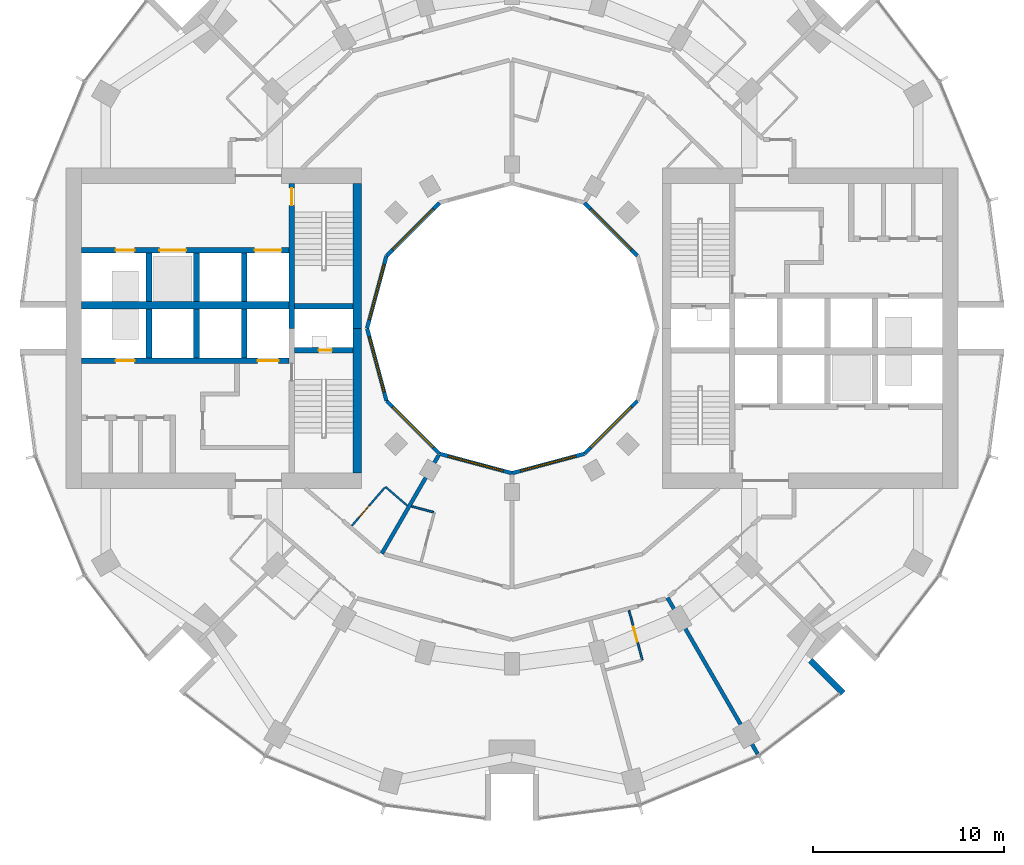
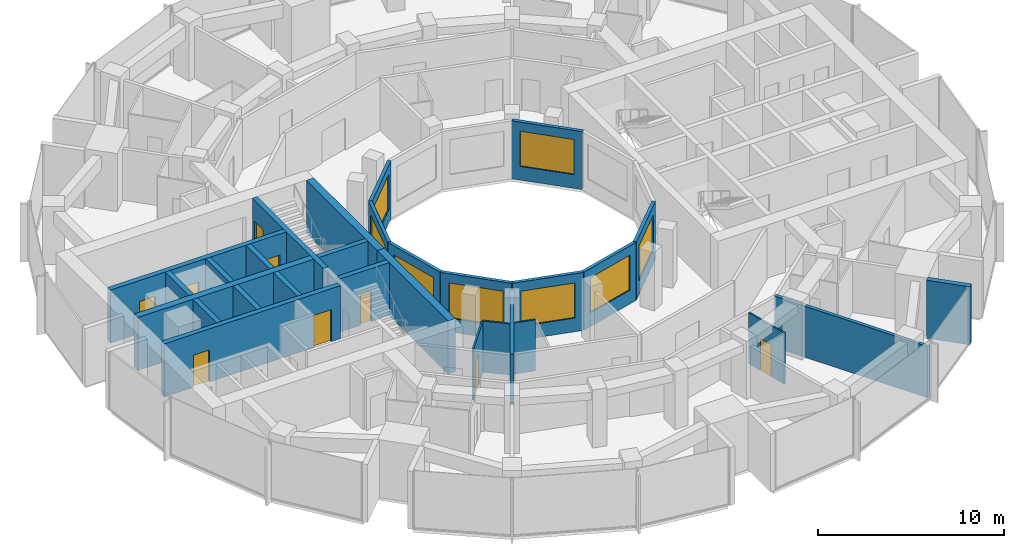
# One storey, part 9 of 15: 29 walls, 9 doors, 8 windows, 17 openings.
"""IFC4 building model written with IfcOpenShell, lengths in metres."""

from ifc_helpers import new_model, si_unit, direction, frame, frame_2d, origin, place, context, subcontext, project, spatial, rectangle, extrude, material, layer, layer_set, type_object, element, fill, save


model = new_model("IFC4")

# Units and contexts
model_context = context("Model", 3, precision=1e-05, world=origin(), true_north=direction((0.0, 1.0)))
body_context = subcontext(model_context, "Body", "Model", "MODEL_VIEW")
ifc_project = project(units=[si_unit("LENGTHUNIT", "METRE"), si_unit("AREAUNIT", "SQUARE_METRE"), si_unit("VOLUMEUNIT", "CUBIC_METRE"), si_unit("PLANEANGLEUNIT", "RADIAN"), si_unit("MASSUNIT", "GRAM", prefix="KILO")], contexts=[model_context])

# Site, building, storey
site_placement = place(None, origin())
site = spatial("IfcSite", under=ifc_project, at=site_placement, CompositionType="ELEMENT")
building_placement = place(site_placement, origin())
building = spatial("IfcBuilding", under=site, at=building_placement, Name="Torre Brocal", CompositionType="ELEMENT")
storey_placement = place(building_placement, frame((0.0, 0.0, 97.60009765625)))
storey = spatial("IfcBuildingStorey", under=building, at=storey_placement, Name="L22", CompositionType="ELEMENT", Elevation=97.60009765625)

# Wall, opening, door
ifc_material_1 = material(Name="Concrete C80", Category="concrete")
ifc_layer_1 = layer(ifc_material_1, 0.300048828125)
ifc_layer_set_1 = layer_set([ifc_layer_1], Name="Concrete C80")
wall_type_1 = type_object("IfcWallType", Name="CORE WALL 300 C80", PredefinedType="SHEAR", material=ifc_layer_set_1)
wall_1_placement = place(storey_placement, frame((68.449951171875, 82.60009765625, 0.0), z_axis=(0.0, 0.0, 1.0), x_axis=(0.0, -1.0, 0.0)))
wall_1 = element("IfcWall", 1, at=wall_1_placement, inside=storey, type_object=wall_type_1, Name="Wall CW300-80", PredefinedType="SHEAR", context=body_context, shape_type="SweptSolid", body=[
    extrude(rectangle(XDim=7.60009765625, YDim=0.300048828125, at=frame_2d((3.800048828125, 0.0))), origin(), (0.0, 0.0, 1.0), 3.47998046875),
])
opening_1_placement = place(wall_1_placement, frame((0.25, 0.0, 0.0)))
opening_1 = element("IfcOpeningElement", 2, at=opening_1_placement, cuts=wall_1, Name="Opening W-D03", PredefinedType="OPENING", context=body_context, shape_type="SweptSolid", body=[
    extrude(rectangle(XDim=0.89990234375, YDim=2.10009765625, at=frame_2d((0.449951171875, 1.050048828125))), frame((0.0, 0.159912109375, 0.0), z_axis=(0.0, -1.0, 0.0), x_axis=(1.0, 0.0, 0.0)), (0.0, 0.0, 1.0), 0.320068359375),
])
ifc_material_2 = material(Name="Steel A653", Category="steel")
door_type_1 = type_object("IfcDoorType", Name="STAIR DOOR FD120 900X2100", OperationType="SINGLE_SWING_RIGHT", PredefinedType="DOOR", material=ifc_material_2)
door_1_placement = place(opening_1_placement, origin())
door_1 = element("IfcDoor", 3, at=door_1_placement, inside=storey, type_object=door_type_1, Name="Door W-D03", OperationType="SINGLE_SWING_LEFT", OverallHeight=2.10009765625, OverallWidth=0.89990234375, PredefinedType="DOOR", context=body_context, shape_type="SweptSolid", body=[
    extrude(rectangle(XDim=0.89990234375, YDim=2.10009765625, at=frame_2d((0.449951171875, 1.050048828125))), frame((0.0, 0.02490234375, 0.0), z_axis=(0.0, -1.0, 0.0), x_axis=(1.0, 0.0, 0.0)), (0.0, 0.0, 1.0), 0.050048828125),
])
fill(opening_1, door_1)

wall_2_placement = place(storey_placement, frame((71.64990234375, 73.85009765625, 0.0), z_axis=(0.0, 0.0, 1.0), x_axis=(-1.0, 0.0, 0.0)))
wall_2 = element("IfcWall", 4, at=wall_2_placement, inside=storey, type_object=wall_type_1, Name="Wall CW300-80", PredefinedType="SHEAR", context=body_context, shape_type="SweptSolid", body=[
    extrude(rectangle(XDim=3.0498046875, YDim=0.300048828125, at=frame_2d((1.52490234375, 0.0))), origin(), (0.0, 0.0, 1.0), 3.47998046875),
])
opening_2_placement = place(wall_2_placement, frame((1.10009765625, 0.0, 0.0)))
opening_2 = element("IfcOpeningElement", 5, at=opening_2_placement, cuts=wall_2, Name="Opening W-D01", PredefinedType="OPENING", context=body_context, shape_type="SweptSolid", body=[
    extrude(rectangle(XDim=0.699951171875, YDim=2.0, at=frame_2d((0.35009765625, 1.0))), frame((0.0, 0.159912109375, 0.0), z_axis=(0.0, -1.0, 0.0), x_axis=(1.0, 0.0, 0.0)), (0.0, 0.0, 1.0), 0.320068359375),
])
ifc_material_3 = material(Name="Steel A653", Category="steel")
door_type_2 = type_object("IfcDoorType", Name="RISER DOOR FD120 700X2000", OperationType="SINGLE_SWING_LEFT", PredefinedType="DOOR", material=ifc_material_3)
door_2_placement = place(opening_2_placement, frame((0.699951171875, 0.0, 0.0), z_axis=(0.0, 0.0, 1.0), x_axis=(-1.0, 0.0, 0.0)))
door_2 = element("IfcDoor", 6, at=door_2_placement, inside=storey, type_object=door_type_2, Name="Door W-D01", OperationType="SINGLE_SWING_RIGHT", OverallHeight=2.0, OverallWidth=0.699951171875, PredefinedType="DOOR", context=body_context, shape_type="SweptSolid", body=[
    extrude(rectangle(XDim=0.699951171875, YDim=2.0, at=frame_2d((0.35009765625, 1.0))), frame((0.0, 0.02490234375, 0.0), z_axis=(0.0, -1.0, 0.0), x_axis=(1.0, 0.0, 0.0)), (0.0, 0.0, 1.0), 0.050048828125),
])
fill(opening_2, door_2)

# Wall
wall_3_placement = place(storey_placement, frame((71.64990234375, 76.14990234375, 0.0), z_axis=(0.0, 0.0, 1.0), x_axis=(-1.0, 0.0, 0.0)))
element("IfcWall", 7, at=wall_3_placement, inside=storey, type_object=wall_type_1, Name="Wall CW300-80", PredefinedType="SHEAR", context=body_context, shape_type="SweptSolid", body=[
    extrude(rectangle(XDim=3.0498046875, YDim=0.300048828125, at=frame_2d((1.52490234375, 0.0))), origin(), (0.0, 0.0, 1.0), 3.47998046875),
])

# Wall, openings, doors
wall_4_placement = place(storey_placement, frame((68.300048828125, 73.300048828125, 0.0), z_axis=(0.0, 0.0, 1.0), x_axis=(-1.0, 0.0, 0.0)))
wall_4 = element("IfcWall", 8, at=wall_4_placement, inside=storey, type_object=wall_type_1, Name="Wall CW300-80", PredefinedType="SHEAR", context=body_context, shape_type="SweptSolid", body=[
    extrude(rectangle(XDim=10.900146484375, YDim=0.300048828125, at=frame_2d((5.4501953125, 0.0))), origin(), (0.0, 0.0, 1.0), 3.47998046875),
])
opening_3_placement = place(wall_4_placement, frame((0.550048828125, 0.0, 0.0)))
opening_3 = element("IfcOpeningElement", 9, at=opening_3_placement, cuts=wall_4, Name="Opening LD", PredefinedType="OPENING", context=body_context, shape_type="SweptSolid", body=[
    extrude(rectangle(XDim=1.10009765625, YDim=2.10009765625, at=frame_2d((0.550048828125, 1.050048828125))), frame((0.0, 0.159912109375, 0.0), z_axis=(0.0, -1.0, 0.0), x_axis=(1.0, 0.0, 0.0)), (0.0, 0.0, 1.0), 0.320068359375),
])
opening_4_placement = place(wall_4_placement, frame((8.10009765625, 0.0, 0.0)))
opening_4 = element("IfcOpeningElement", 10, at=opening_4_placement, cuts=wall_4, Name="Opening LD10", PredefinedType="OPENING", context=body_context, shape_type="SweptSolid", body=[
    extrude(rectangle(XDim=1.0, YDim=2.10009765625, at=frame_2d((0.5, 1.050048828125))), frame((0.0, 0.159912109375, 0.0), z_axis=(0.0, -1.0, 0.0), x_axis=(1.0, 0.0, 0.0)), (0.0, 0.0, 1.0), 0.320068359375),
])
ifc_material_4 = material(Name="Stainless steel AISI 316", Category="steel")
door_type_3 = type_object("IfcDoorType", Name="LIFT LANDING DOOR 1000X2100", OperationType="DOUBLE_DOOR_SLIDING", PredefinedType="DOOR", material=ifc_material_4)
door_3_placement = place(opening_4_placement, origin())
door_3 = element("IfcDoor", 11, at=door_3_placement, inside=storey, type_object=door_type_3, Name="Door LD10", OperationType="DOUBLE_DOOR_SLIDING", OverallHeight=2.10009765625, OverallWidth=1.0, PredefinedType="DOOR", context=body_context, shape_type="SweptSolid", body=[
    extrude(rectangle(XDim=1.0, YDim=2.10009765625, at=frame_2d((0.5, 1.050048828125))), frame((0.0, 0.02490234375, 0.0), z_axis=(0.0, -1.0, 0.0), x_axis=(1.0, 0.0, 0.0)), (0.0, 0.0, 1.0), 0.050048828125),
])
fill(opening_4, door_3)
ifc_material_5 = material(Name="Stainless steel AISI 316", Category="steel")
door_type_4 = type_object("IfcDoorType", Name="LIFT LANDING DOOR 1100X2100", OperationType="DOUBLE_DOOR_SLIDING", PredefinedType="DOOR", material=ifc_material_5)
door_4_placement = place(opening_3_placement, origin())
door_4 = element("IfcDoor", 12, at=door_4_placement, inside=storey, type_object=door_type_4, Name="Door LD", OperationType="DOUBLE_DOOR_SLIDING", OverallHeight=2.10009765625, OverallWidth=1.10009765625, PredefinedType="DOOR", context=body_context, shape_type="SweptSolid", body=[
    extrude(rectangle(XDim=1.10009765625, YDim=2.10009765625, at=frame_2d((0.550048828125, 1.050048828125))), frame((0.0, 0.02490234375, 0.0), z_axis=(0.0, -1.0, 0.0), x_axis=(1.0, 0.0, 0.0)), (0.0, 0.0, 1.0), 0.050048828125),
])
fill(opening_3, door_4)

wall_5_placement = place(storey_placement, frame((68.300048828125, 79.10009765625, 0.0), z_axis=(0.0, 0.0, 1.0), x_axis=(-1.0, 0.0, 0.0)))
wall_5 = element("IfcWall", 13, at=wall_5_placement, inside=storey, type_object=wall_type_1, Name="Wall CW300-80", PredefinedType="SHEAR", context=body_context, shape_type="SweptSolid", body=[
    extrude(rectangle(XDim=10.900146484375, YDim=0.300048828125, at=frame_2d((5.4501953125, 0.0))), origin(), (0.0, 0.0, 1.0), 3.47998046875),
])
opening_5_placement = place(wall_5_placement, frame((0.39990234375, 0.0, 0.0)))
opening_5 = element("IfcOpeningElement", 14, at=opening_5_placement, cuts=wall_5, Name="Opening LD14", PredefinedType="OPENING", context=body_context, shape_type="SweptSolid", body=[
    extrude(rectangle(XDim=1.39990234375, YDim=2.10009765625, at=frame_2d((0.699951171875, 1.050048828125))), frame((0.0, 0.159912109375, 0.0), z_axis=(0.0, -1.0, 0.0), x_axis=(1.0, 0.0, 0.0)), (0.0, 0.0, 1.0), 0.320068359375),
])
opening_6_placement = place(wall_5_placement, frame((5.39990234375, 0.0, 0.0)))
opening_6 = element("IfcOpeningElement", 15, at=opening_6_placement, cuts=wall_5, Name="Opening LD14", PredefinedType="OPENING", context=body_context, shape_type="SweptSolid", body=[
    extrude(rectangle(XDim=1.39990234375, YDim=2.10009765625, at=frame_2d((0.699951171875, 1.050048828125))), frame((0.0, 0.159912109375, 0.0), z_axis=(0.0, -1.0, 0.0), x_axis=(1.0, 0.0, 0.0)), (0.0, 0.0, 1.0), 0.320068359375),
])
opening_7_placement = place(wall_5_placement, frame((8.10009765625, 0.0, 0.0)))
opening_7 = element("IfcOpeningElement", 16, at=opening_7_placement, cuts=wall_5, Name="Opening LD10", PredefinedType="OPENING", context=body_context, shape_type="SweptSolid", body=[
    extrude(rectangle(XDim=1.0, YDim=2.10009765625, at=frame_2d((0.5, 1.050048828125))), frame((0.0, 0.159912109375, 0.0), z_axis=(0.0, -1.0, 0.0), x_axis=(1.0, 0.0, 0.0)), (0.0, 0.0, 1.0), 0.320068359375),
])
door_5_placement = place(opening_7_placement, origin())
door_5 = element("IfcDoor", 17, at=door_5_placement, inside=storey, type_object=door_type_3, Name="Door LD10", OperationType="DOUBLE_DOOR_SLIDING", OverallHeight=2.10009765625, OverallWidth=1.0, PredefinedType="DOOR", context=body_context, shape_type="SweptSolid", body=[
    extrude(rectangle(XDim=1.0, YDim=2.10009765625, at=frame_2d((0.5, 1.050048828125))), frame((0.0, 0.02490234375, 0.0), z_axis=(0.0, -1.0, 0.0), x_axis=(1.0, 0.0, 0.0)), (0.0, 0.0, 1.0), 0.050048828125),
])
fill(opening_7, door_5)
ifc_material_6 = material(Name="Stainless steel AISI 316", Category="steel")
door_type_5 = type_object("IfcDoorType", Name="LIFT LANDING DOOR 1400X2100", OperationType="DOUBLE_DOOR_SLIDING", PredefinedType="DOOR", material=ifc_material_6)
door_6_placement = place(opening_5_placement, origin())
door_6 = element("IfcDoor", 18, at=door_6_placement, inside=storey, type_object=door_type_5, Name="Door LD14", OperationType="DOUBLE_DOOR_SLIDING", OverallHeight=2.10009765625, OverallWidth=1.39990234375, PredefinedType="DOOR", context=body_context, shape_type="SweptSolid", body=[
    extrude(rectangle(XDim=1.39990234375, YDim=2.10009765625, at=frame_2d((0.699951171875, 1.050048828125))), frame((0.0, 0.02490234375, 0.0), z_axis=(0.0, -1.0, 0.0), x_axis=(1.0, 0.0, 0.0)), (0.0, 0.0, 1.0), 0.050048828125),
])
fill(opening_5, door_6)
door_7_placement = place(opening_6_placement, origin())
door_7 = element("IfcDoor", 19, at=door_7_placement, inside=storey, type_object=door_type_5, Name="Door LD14", OperationType="DOUBLE_DOOR_SLIDING", OverallHeight=2.10009765625, OverallWidth=1.39990234375, PredefinedType="DOOR", context=body_context, shape_type="SweptSolid", body=[
    extrude(rectangle(XDim=1.39990234375, YDim=2.10009765625, at=frame_2d((0.699951171875, 1.050048828125))), frame((0.0, 0.02490234375, 0.0), z_axis=(0.0, -1.0, 0.0), x_axis=(1.0, 0.0, 0.0)), (0.0, 0.0, 1.0), 0.050048828125),
])
fill(opening_6, door_7)

# Walls
for number, where, z_axis, x_axis, name in (
    (20, (65.949951171875, 76.0, 0.0), (0.0, 0.0, 1.0), (0.0, -1.0, 0.0), "Wall CW300-80"),
    (21, (63.449951171875, 76.0, 0.0), (0.0, 0.0, 1.0), (0.0, -1.0, 0.0), "Wall CW300-80"),
    (22, (60.949951171875, 76.0, 0.0), (0.0, 0.0, 1.0), (0.0, -1.0, 0.0), "Wall CW300-80"),
    (23, (65.949951171875, 78.949951171875, 0.0), (0.0, 0.0, 1.0), (0.0, -1.0, 0.0), "Wall CW300-80"),
    (24, (63.449951171875, 78.949951171875, 0.0), (0.0, 0.0, 1.0), (0.0, -1.0, 0.0), "Wall CW300-80"),
    (25, (60.949951171875, 78.949951171875, 0.0), (0.0, 0.0, 1.0), (0.0, -1.0, 0.0), "Wall CW300-80"),
):
    element("IfcWall", number, at=place(storey_placement, frame(where, z_axis=z_axis, x_axis=x_axis)), inside=storey, type_object=wall_type_1, Name=name, PredefinedType="SHEAR", context=body_context, shape_type="SweptSolid", body=[
        extrude(rectangle(XDim=2.550048828125, YDim=0.300048828125, at=frame_2d((1.27490234375, 0.0))), origin(), (0.0, 0.0, 1.0), 3.47998046875),
    ])
ifc_material_7 = material(Name="Concrete C80", Category="concrete")
ifc_layer_2 = layer(ifc_material_7, 0.39990234375)
ifc_layer_set_2 = layer_set([ifc_layer_2], Name="Concrete C80")
wall_type_2 = type_object("IfcWallType", Name="CORE WALL 400 C80", PredefinedType="SHEAR", material=ifc_layer_set_2)
wall_6_placement = place(storey_placement, frame((68.300048828125, 76.199951171875, 0.0), z_axis=(0.0, 0.0, 1.0), x_axis=(-1.0, 0.0, 0.0)))
element("IfcWall", 26, at=wall_6_placement, inside=storey, type_object=wall_type_2, Name="Wall CW400-80", PredefinedType="SHEAR", context=body_context, shape_type="SweptSolid", body=[
    extrude(rectangle(XDim=10.900146484375, YDim=0.39990234375, at=frame_2d((5.4501953125, 0.0))), origin(), (0.0, 0.0, 1.0), 3.47998046875),
])
ifc_material_8 = material(Name="Concrete C80", Category="concrete")
ifc_layer_3 = layer(ifc_material_8, 0.449951171875)
ifc_layer_set_3 = layer_set([ifc_layer_3], Name="Concrete C80")
wall_type_3 = type_object("IfcWallType", Name="CORE WALL 450 C80", PredefinedType="SHEAR", material=ifc_layer_set_3)
for number, where, z_axis, x_axis, name in (
    (27, (71.875, 75.0, 0.0), (0.0, 0.0, 1.0), (0.0, -1.0, 0.0), "Wall CW450-80"),
    (28, (71.875, 82.60009765625, 0.0), (0.0, 0.0, 1.0), (0.0, -1.0, 0.0), "Wall CW450-80"),
):
    element("IfcWall", number, at=place(storey_placement, frame(where, z_axis=z_axis, x_axis=x_axis)), inside=storey, type_object=wall_type_3, Name=name, PredefinedType="SHEAR", context=body_context, shape_type="SweptSolid", body=[
        extrude(rectangle(XDim=7.60009765625, YDim=0.449951171875, at=frame_2d((3.800048828125, 0.0))), origin(), (0.0, 0.0, 1.0), 3.47998046875),
    ])
ifc_material_9 = material(Name="Concrete C80", Category="concrete")
ifc_layer_4 = layer(ifc_material_9, 0.300048828125)
ifc_layer_set_4 = layer_set([ifc_layer_4], Name="Concrete C80")
wall_type_4 = type_object("IfcWallType", Name="NOTCH RETURN WALL 300 C80", PredefinedType="NOTDEFINED", material=ifc_layer_set_4)
wall_7_placement = place(storey_placement, frame((95.662353515625, 57.56982421875, 0.0), z_axis=(0.0, 0.0, 1.0), x_axis=(0.707106781187, -0.707106781187, 0.0)))
element("IfcWall", 29, at=wall_7_placement, inside=storey, type_object=wall_type_4, Name="NOTCH RETURN WALL", PredefinedType="NOTDEFINED", context=body_context, shape_type="SweptSolid", body=[
    extrude(rectangle(XDim=2.415771484375, YDim=0.300048828125, at=frame_2d((1.2080078125, 0.0))), origin(), (0.0, 0.0, 1.0), 3.7998046875),
])

# Wall, opening, door
ifc_material_10 = material(Name="Gypsum board", Category="Gypsum")
ifc_layer_5 = layer(ifc_material_10, 0.10009765625)
ifc_layer_set_5 = layer_set([ifc_layer_5], Name="Gypsum board")
wall_type_5 = type_object("IfcWallType", Name="PARTITION 100", PredefinedType="PARTITIONING", material=ifc_layer_set_5)
wall_8_placement = place(storey_placement, frame((71.59619140625, 64.634765625, 0.0), z_axis=(0.0, 0.0, 1.0), x_axis=(0.652285007511, 0.757973791748, 0.0)))
wall_8 = element("IfcWall", 30, at=wall_8_placement, inside=storey, type_object=wall_type_5, Name="BATHROOM WALL", PredefinedType="PARTITIONING", context=body_context, shape_type="SweptSolid", body=[
    extrude(rectangle(XDim=2.649658203125, YDim=0.10009765625, at=frame_2d((1.32470703125, 0.0))), origin(), (0.0, 0.0, 1.0), 3.349853515625),
])
opening_8_placement = place(wall_8_placement, frame((0.599609375, 0.0, 0.0)))
opening_8 = element("IfcOpeningElement", 31, at=opening_8_placement, cuts=wall_8, Name="Opening H06-D34", PredefinedType="OPENING", context=body_context, shape_type="SweptSolid", body=[
    extrude(rectangle(XDim=0.800048828125, YDim=2.10009765625, at=frame_2d((0.39990234375, 1.050048828125))), frame((0.0, 0.06005859375, 0.0), z_axis=(0.0, -1.0, 0.0), x_axis=(1.0, 0.0, 0.0)), (0.0, 0.0, 1.0), 0.1201171875),
])
ifc_material_11 = material(Name="Timber", Category="wood")
door_type_6 = type_object("IfcDoorType", Name="BATHROOM DOOR 800X2100", OperationType="SINGLE_SWING_LEFT", PredefinedType="DOOR", material=ifc_material_11)
door_8_placement = place(opening_8_placement, frame((0.800048828125, 0.0, 0.0), z_axis=(0.0, 0.0, 1.0), x_axis=(-1.0, 0.0, 0.0)))
door_8 = element("IfcDoor", 32, at=door_8_placement, inside=storey, type_object=door_type_6, Name="H06-D34", OperationType="SINGLE_SWING_RIGHT", OverallHeight=2.10009765625, OverallWidth=0.800048828125, PredefinedType="DOOR", context=body_context, shape_type="SweptSolid", body=[
    extrude(rectangle(XDim=0.800048828125, YDim=2.10009765625, at=frame_2d((0.39990234375, 1.050048828125))), frame((0.0, 0.02490234375, 0.0), z_axis=(0.0, -1.0, 0.0), x_axis=(1.0, 0.0, 0.0)), (0.0, 0.0, 1.0), 0.050048828125),
])
fill(opening_8, door_8)

# Walls
wall_9_placement = place(storey_placement, frame((73.35693359375, 66.680908203125, 0.0), z_axis=(0.0, 0.0, 1.0), x_axis=(0.758263469747, -0.651948242154, 0.0)))
element("IfcWall", 33, at=wall_9_placement, inside=storey, type_object=wall_type_5, Name="BATHROOM WALL", PredefinedType="PARTITIONING", context=body_context, shape_type="SweptSolid", body=[
    extrude(rectangle(XDim=1.510986328125, YDim=0.10009765625, at=frame_2d((0.75537109375, 0.0))), origin(), (0.0, 0.0, 1.0), 3.349853515625),
])
wall_10_placement = place(storey_placement, frame((74.729248046875, 65.657470703125, 0.0), z_axis=(0.0, 0.0, 1.0), x_axis=(0.965948051503, -0.258736085224, 0.0)))
element("IfcWall", 34, at=wall_10_placement, inside=storey, type_object=wall_type_5, Name="BATHROOM WALL", PredefinedType="PARTITIONING", context=body_context, shape_type="SweptSolid", body=[
    extrude(rectangle(XDim=1.18896484375, YDim=0.10009765625, at=frame_2d((0.594482421875, 0.0))), origin(), (0.0, 0.0, 1.0), 3.349853515625),
])

# Wall, opening, door
wall_11_placement = place(storey_placement, frame((86.139892578125, 60.196044921875, 0.0), z_axis=(0.0, 0.0, 1.0), x_axis=(0.258945475746, -0.965891940432, 0.0)))
wall_11 = element("IfcWall", 35, at=wall_11_placement, inside=storey, type_object=wall_type_5, Name="BATHROOM WALL", PredefinedType="PARTITIONING", context=body_context, shape_type="SweptSolid", body=[
    extrude(rectangle(XDim=2.7001953125, YDim=0.10009765625, at=frame_2d((1.35009765625, 0.0))), origin(), (0.0, 0.0, 1.0), 3.349853515625),
])
opening_9_placement = place(wall_11_placement, frame((0.89990234375, 0.0, 0.0)))
opening_9 = element("IfcOpeningElement", 36, at=opening_9_placement, cuts=wall_11, Name="Opening H06-D24", PredefinedType="OPENING", context=body_context, shape_type="SweptSolid", body=[
    extrude(rectangle(XDim=0.800048828125, YDim=2.10009765625, at=frame_2d((0.39990234375, 1.050048828125))), frame((0.0, 0.06005859375, 0.0), z_axis=(0.0, -1.0, 0.0), x_axis=(1.0, 0.0, 0.0)), (0.0, 0.0, 1.0), 0.1201171875),
])
door_9_placement = place(opening_9_placement, frame((0.800048828125, 0.0, 0.0), z_axis=(0.0, 0.0, 1.0), x_axis=(-1.0, 0.0, 0.0)))
door_9 = element("IfcDoor", 37, at=door_9_placement, inside=storey, type_object=door_type_6, Name="H06-D24", OperationType="SINGLE_SWING_RIGHT", OverallHeight=2.10009765625, OverallWidth=0.800048828125, PredefinedType="DOOR", context=body_context, shape_type="SweptSolid", body=[
    extrude(rectangle(XDim=0.800048828125, YDim=2.10009765625, at=frame_2d((0.39990234375, 1.050048828125))), frame((0.0, 0.02490234375, 0.0), z_axis=(0.0, -1.0, 0.0), x_axis=(1.0, 0.0, 0.0)), (0.0, 0.0, 1.0), 0.050048828125),
])
fill(opening_9, door_9)

# Walls
ifc_material_12 = material(Name="Gypsum board", Category="Gypsum")
ifc_layer_6 = layer(ifc_material_12, 0.199951171875)
ifc_layer_set_6 = layer_set([ifc_layer_6], Name="Gypsum board")
wall_type_6 = type_object("IfcWallType", Name="PARTITION 200 EI60", PredefinedType="PARTITIONING", material=ifc_layer_set_6)
wall_12_placement = place(storey_placement, frame((73.1708984375, 63.17724609375, 0.0), z_axis=(0.0, 0.0, 1.0), x_axis=(0.500257106344, 0.865876912472, 0.0)))
element("IfcWall", 38, at=wall_12_placement, inside=storey, type_object=wall_type_6, Name="BATHROOM WALL", PredefinedType="PARTITIONING", context=body_context, shape_type="SweptSolid", body=[
    extrude(rectangle(XDim=5.954833984375, YDim=0.199951171875, at=frame_2d((2.9775390625, 0.0))), origin(), (0.0, 0.0, 1.0), 3.349853515625),
])
wall_13_placement = place(storey_placement, frame((88.158203125, 60.862060546875, 0.0), z_axis=(0.0, 0.0, 1.0), x_axis=(0.499916512745, -0.866073599808, 0.0)))
element("IfcWall", 39, at=wall_13_placement, inside=storey, type_object=wall_type_6, Name="PARTY PARTITION", PredefinedType="PARTITIONING", context=body_context, shape_type="SweptSolid", body=[
    extrude(rectangle(XDim=9.474609375, YDim=0.199951171875, at=frame_2d((4.7373046875, 0.0))), origin(), (0.0, 0.0, 1.0), 3.349853515625),
])

# Wall, opening, window
ifc_material_13 = material(Name="Concrete C40", Category="concrete")
ifc_layer_7 = layer(ifc_material_13, 0.199951171875)
ifc_layer_set_7 = layer_set([ifc_layer_7], Name="Concrete C40")
wall_type_7 = type_object("IfcWallType", Name="WELL FACADE WALL 200", PredefinedType="NOTDEFINED", material=ifc_layer_set_7)
wall_14_placement = place(storey_placement, frame((86.5849609375, 78.8017578125, 0.0), z_axis=(0.0, 0.0, 1.0), x_axis=(-0.707106781187, 0.707106781187, 0.0)))
wall_14 = element("IfcWall", 40, at=wall_14_placement, inside=storey, type_object=wall_type_7, Name="WELL FACADE WALL", PredefinedType="NOTDEFINED", context=body_context, shape_type="SweptSolid", body=[
    extrude(rectangle(XDim=3.93603515625, YDim=0.199951171875, at=frame_2d((1.968017578125, 0.0))), origin(), (0.0, 0.0, 1.0), 3.7998046875),
])
opening_10_placement = place(wall_14_placement, frame((0.468017578125, 0.0, 0.89990234375)))
opening_10 = element("IfcOpeningElement", 41, at=opening_10_placement, cuts=wall_14, Name="Opening W1", PredefinedType="OPENING", context=body_context, shape_type="SweptSolid", body=[
    extrude(rectangle(XDim=3.0, YDim=2.300048828125, at=frame_2d((1.5, 1.14990234375))), frame((0.0, 0.10986328125, 0.0), z_axis=(0.0, -1.0, 0.0), x_axis=(1.0, 0.0, 0.0)), (0.0, 0.0, 1.0), 0.219970703125),
])
ifc_material_14 = material(Name="Aluminium and glass", Category="aluminium")
window_type = type_object("IfcWindowType", Name="WELL WINDOW 3000X2300", PartitioningType="SINGLE_PANEL", PredefinedType="WINDOW", material=ifc_material_14)
window_1_placement = place(opening_10_placement, origin())
window_1 = element("IfcWindow", 42, at=window_1_placement, inside=storey, type_object=window_type, Name="WELL WINDOW 3000X2300", OverallHeight=2.300048828125, OverallWidth=3.0, PartitioningType="SINGLE_PANEL", PredefinedType="WINDOW", context=body_context, shape_type="SweptSolid", body=[
    extrude(rectangle(XDim=3.0, YDim=2.300048828125, at=frame_2d((1.5, 1.14990234375))), frame((0.0, 0.030029296875, 0.0), z_axis=(0.0, -1.0, 0.0), x_axis=(1.0, 0.0, 0.0)), (0.0, 0.0, 1.0), 0.06005859375),
])
fill(opening_10, window_1)

wall_15_placement = place(storey_placement, frame((76.1982421875, 81.5849609375, 0.0), z_axis=(0.0, 0.0, 1.0), x_axis=(-0.707106781187, -0.707106781187, 0.0)))
wall_15 = element("IfcWall", 43, at=wall_15_placement, inside=storey, type_object=wall_type_7, Name="WELL FACADE WALL", PredefinedType="NOTDEFINED", context=body_context, shape_type="SweptSolid", body=[
    extrude(rectangle(XDim=3.93603515625, YDim=0.199951171875, at=frame_2d((1.968017578125, 0.0))), origin(), (0.0, 0.0, 1.0), 3.7998046875),
])
opening_11_placement = place(wall_15_placement, frame((0.468017578125, 0.0, 0.89990234375)))
opening_11 = element("IfcOpeningElement", 44, at=opening_11_placement, cuts=wall_15, Name="Opening W1", PredefinedType="OPENING", context=body_context, shape_type="SweptSolid", body=[
    extrude(rectangle(XDim=3.0, YDim=2.300048828125, at=frame_2d((1.5, 1.14990234375))), frame((0.0, 0.10986328125, 0.0), z_axis=(0.0, -1.0, 0.0), x_axis=(1.0, 0.0, 0.0)), (0.0, 0.0, 1.0), 0.219970703125),
])
window_2_placement = place(opening_11_placement, origin())
window_2 = element("IfcWindow", 45, at=window_2_placement, inside=storey, type_object=window_type, Name="WELL WINDOW 3000X2300", OverallHeight=2.300048828125, OverallWidth=3.0, PartitioningType="SINGLE_PANEL", PredefinedType="WINDOW", context=body_context, shape_type="SweptSolid", body=[
    extrude(rectangle(XDim=3.0, YDim=2.300048828125, at=frame_2d((1.5, 1.14990234375))), frame((0.0, 0.030029296875, 0.0), z_axis=(0.0, -1.0, 0.0), x_axis=(1.0, 0.0, 0.0)), (0.0, 0.0, 1.0), 0.06005859375),
])
fill(opening_11, window_2)

wall_16_placement = place(storey_placement, frame((73.4150390625, 78.8017578125, 0.0), z_axis=(0.0, 0.0, 1.0), x_axis=(-0.258789828301, -0.965933654434, 0.0)))
wall_16 = element("IfcWall", 46, at=wall_16_placement, inside=storey, type_object=wall_type_7, Name="WELL FACADE WALL", PredefinedType="NOTDEFINED", context=body_context, shape_type="SweptSolid", body=[
    extrude(rectangle(XDim=3.935791015625, YDim=0.199951171875, at=frame_2d((1.9677734375, 0.0))), origin(), (0.0, 0.0, 1.0), 3.7998046875),
])
opening_12_placement = place(wall_16_placement, frame((0.468017578125, 0.0, 0.89990234375)))
opening_12 = element("IfcOpeningElement", 47, at=opening_12_placement, cuts=wall_16, Name="Opening W1", PredefinedType="OPENING", context=body_context, shape_type="SweptSolid", body=[
    extrude(rectangle(XDim=3.0, YDim=2.300048828125, at=frame_2d((1.5, 1.14990234375))), frame((0.0, 0.10986328125, 0.0), z_axis=(0.0, -1.0, 0.0), x_axis=(1.0, 0.0, 0.0)), (0.0, 0.0, 1.0), 0.219970703125),
])
window_3_placement = place(opening_12_placement, origin())
window_3 = element("IfcWindow", 48, at=window_3_placement, inside=storey, type_object=window_type, Name="WELL WINDOW 3000X2300", OverallHeight=2.300048828125, OverallWidth=3.0, PartitioningType="SINGLE_PANEL", PredefinedType="WINDOW", context=body_context, shape_type="SweptSolid", body=[
    extrude(rectangle(XDim=3.0, YDim=2.300048828125, at=frame_2d((1.5, 1.14990234375))), frame((0.0, 0.030029296875, 0.0), z_axis=(0.0, -1.0, 0.0), x_axis=(1.0, 0.0, 0.0)), (0.0, 0.0, 1.0), 0.06005859375),
])
fill(opening_12, window_3)

wall_17_placement = place(storey_placement, frame((72.396484375, 75.0, 0.0), z_axis=(0.0, 0.0, 1.0), x_axis=(0.258789828301, -0.965933654434, 0.0)))
wall_17 = element("IfcWall", 49, at=wall_17_placement, inside=storey, type_object=wall_type_7, Name="WELL FACADE WALL", PredefinedType="NOTDEFINED", context=body_context, shape_type="SweptSolid", body=[
    extrude(rectangle(XDim=3.935791015625, YDim=0.199951171875, at=frame_2d((1.9677734375, 0.0))), origin(), (0.0, 0.0, 1.0), 3.7998046875),
])
opening_13_placement = place(wall_17_placement, frame((0.468017578125, 0.0, 0.89990234375)))
opening_13 = element("IfcOpeningElement", 50, at=opening_13_placement, cuts=wall_17, Name="Opening W1", PredefinedType="OPENING", context=body_context, shape_type="SweptSolid", body=[
    extrude(rectangle(XDim=3.0, YDim=2.300048828125, at=frame_2d((1.5, 1.14990234375))), frame((0.0, 0.10986328125, 0.0), z_axis=(0.0, -1.0, 0.0), x_axis=(1.0, 0.0, 0.0)), (0.0, 0.0, 1.0), 0.219970703125),
])
window_4_placement = place(opening_13_placement, origin())
window_4 = element("IfcWindow", 51, at=window_4_placement, inside=storey, type_object=window_type, Name="WELL WINDOW 3000X2300", OverallHeight=2.300048828125, OverallWidth=3.0, PartitioningType="SINGLE_PANEL", PredefinedType="WINDOW", context=body_context, shape_type="SweptSolid", body=[
    extrude(rectangle(XDim=3.0, YDim=2.300048828125, at=frame_2d((1.5, 1.14990234375))), frame((0.0, 0.030029296875, 0.0), z_axis=(0.0, -1.0, 0.0), x_axis=(1.0, 0.0, 0.0)), (0.0, 0.0, 1.0), 0.06005859375),
])
fill(opening_13, window_4)

wall_18_placement = place(storey_placement, frame((73.4150390625, 71.1982421875, 0.0), z_axis=(0.0, 0.0, 1.0), x_axis=(0.707106781187, -0.707106781187, 0.0)))
wall_18 = element("IfcWall", 52, at=wall_18_placement, inside=storey, type_object=wall_type_7, Name="WELL FACADE WALL", PredefinedType="NOTDEFINED", context=body_context, shape_type="SweptSolid", body=[
    extrude(rectangle(XDim=3.93603515625, YDim=0.199951171875, at=frame_2d((1.968017578125, 0.0))), origin(), (0.0, 0.0, 1.0), 3.7998046875),
])
opening_14_placement = place(wall_18_placement, frame((0.468017578125, 0.0, 0.89990234375)))
opening_14 = element("IfcOpeningElement", 53, at=opening_14_placement, cuts=wall_18, Name="Opening W1", PredefinedType="OPENING", context=body_context, shape_type="SweptSolid", body=[
    extrude(rectangle(XDim=3.0, YDim=2.300048828125, at=frame_2d((1.5, 1.14990234375))), frame((0.0, 0.10986328125, 0.0), z_axis=(0.0, -1.0, 0.0), x_axis=(1.0, 0.0, 0.0)), (0.0, 0.0, 1.0), 0.219970703125),
])
window_5_placement = place(opening_14_placement, origin())
window_5 = element("IfcWindow", 54, at=window_5_placement, inside=storey, type_object=window_type, Name="WELL WINDOW 3000X2300", OverallHeight=2.300048828125, OverallWidth=3.0, PartitioningType="SINGLE_PANEL", PredefinedType="WINDOW", context=body_context, shape_type="SweptSolid", body=[
    extrude(rectangle(XDim=3.0, YDim=2.300048828125, at=frame_2d((1.5, 1.14990234375))), frame((0.0, 0.030029296875, 0.0), z_axis=(0.0, -1.0, 0.0), x_axis=(1.0, 0.0, 0.0)), (0.0, 0.0, 1.0), 0.06005859375),
])
fill(opening_14, window_5)

wall_19_placement = place(storey_placement, frame((76.1982421875, 68.4150390625, 0.0), z_axis=(0.0, 0.0, 1.0), x_axis=(0.965933654434, -0.258789828301, 0.0)))
wall_19 = element("IfcWall", 55, at=wall_19_placement, inside=storey, type_object=wall_type_7, Name="WELL FACADE WALL", PredefinedType="NOTDEFINED", context=body_context, shape_type="SweptSolid", body=[
    extrude(rectangle(XDim=3.935791015625, YDim=0.199951171875, at=frame_2d((1.9677734375, 0.0))), origin(), (0.0, 0.0, 1.0), 3.7998046875),
])
opening_15_placement = place(wall_19_placement, frame((0.468017578125, 0.0, 0.89990234375)))
opening_15 = element("IfcOpeningElement", 56, at=opening_15_placement, cuts=wall_19, Name="Opening W1", PredefinedType="OPENING", context=body_context, shape_type="SweptSolid", body=[
    extrude(rectangle(XDim=3.0, YDim=2.300048828125, at=frame_2d((1.5, 1.14990234375))), frame((0.0, 0.10986328125, 0.0), z_axis=(0.0, -1.0, 0.0), x_axis=(1.0, 0.0, 0.0)), (0.0, 0.0, 1.0), 0.219970703125),
])
window_6_placement = place(opening_15_placement, origin())
window_6 = element("IfcWindow", 57, at=window_6_placement, inside=storey, type_object=window_type, Name="WELL WINDOW 3000X2300", OverallHeight=2.300048828125, OverallWidth=3.0, PartitioningType="SINGLE_PANEL", PredefinedType="WINDOW", context=body_context, shape_type="SweptSolid", body=[
    extrude(rectangle(XDim=3.0, YDim=2.300048828125, at=frame_2d((1.5, 1.14990234375))), frame((0.0, 0.030029296875, 0.0), z_axis=(0.0, -1.0, 0.0), x_axis=(1.0, 0.0, 0.0)), (0.0, 0.0, 1.0), 0.06005859375),
])
fill(opening_15, window_6)

wall_20_placement = place(storey_placement, frame((80.0, 67.396484375, 0.0), z_axis=(0.0, 0.0, 1.0), x_axis=(0.965933654434, 0.258789828301, 0.0)))
wall_20 = element("IfcWall", 58, at=wall_20_placement, inside=storey, type_object=wall_type_7, Name="WELL FACADE WALL", PredefinedType="NOTDEFINED", context=body_context, shape_type="SweptSolid", body=[
    extrude(rectangle(XDim=3.935791015625, YDim=0.199951171875, at=frame_2d((1.9677734375, 0.0))), origin(), (0.0, 0.0, 1.0), 3.7998046875),
])
opening_16_placement = place(wall_20_placement, frame((0.468017578125, 0.0, 0.89990234375)))
opening_16 = element("IfcOpeningElement", 59, at=opening_16_placement, cuts=wall_20, Name="Opening W1", PredefinedType="OPENING", context=body_context, shape_type="SweptSolid", body=[
    extrude(rectangle(XDim=3.0, YDim=2.300048828125, at=frame_2d((1.5, 1.14990234375))), frame((0.0, 0.10986328125, 0.0), z_axis=(0.0, -1.0, 0.0), x_axis=(1.0, 0.0, 0.0)), (0.0, 0.0, 1.0), 0.219970703125),
])
window_7_placement = place(opening_16_placement, origin())
window_7 = element("IfcWindow", 60, at=window_7_placement, inside=storey, type_object=window_type, Name="WELL WINDOW 3000X2300", OverallHeight=2.300048828125, OverallWidth=3.0, PartitioningType="SINGLE_PANEL", PredefinedType="WINDOW", context=body_context, shape_type="SweptSolid", body=[
    extrude(rectangle(XDim=3.0, YDim=2.300048828125, at=frame_2d((1.5, 1.14990234375))), frame((0.0, 0.030029296875, 0.0), z_axis=(0.0, -1.0, 0.0), x_axis=(1.0, 0.0, 0.0)), (0.0, 0.0, 1.0), 0.06005859375),
])
fill(opening_16, window_7)

wall_21_placement = place(storey_placement, frame((83.8017578125, 68.4150390625, 0.0), z_axis=(0.0, 0.0, 1.0), x_axis=(0.707106781187, 0.707106781187, 0.0)))
wall_21 = element("IfcWall", 61, at=wall_21_placement, inside=storey, type_object=wall_type_7, Name="WELL FACADE WALL", PredefinedType="NOTDEFINED", context=body_context, shape_type="SweptSolid", body=[
    extrude(rectangle(XDim=3.93603515625, YDim=0.199951171875, at=frame_2d((1.968017578125, 0.0))), origin(), (0.0, 0.0, 1.0), 3.7998046875),
])
opening_17_placement = place(wall_21_placement, frame((0.468017578125, 0.0, 0.89990234375)))
opening_17 = element("IfcOpeningElement", 62, at=opening_17_placement, cuts=wall_21, Name="Opening W1", PredefinedType="OPENING", context=body_context, shape_type="SweptSolid", body=[
    extrude(rectangle(XDim=3.0, YDim=2.300048828125, at=frame_2d((1.5, 1.14990234375))), frame((0.0, 0.10986328125, 0.0), z_axis=(0.0, -1.0, 0.0), x_axis=(1.0, 0.0, 0.0)), (0.0, 0.0, 1.0), 0.219970703125),
])
window_8_placement = place(opening_17_placement, origin())
window_8 = element("IfcWindow", 63, at=window_8_placement, inside=storey, type_object=window_type, Name="WELL WINDOW 3000X2300", OverallHeight=2.300048828125, OverallWidth=3.0, PartitioningType="SINGLE_PANEL", PredefinedType="WINDOW", context=body_context, shape_type="SweptSolid", body=[
    extrude(rectangle(XDim=3.0, YDim=2.300048828125, at=frame_2d((1.5, 1.14990234375))), frame((0.0, 0.030029296875, 0.0), z_axis=(0.0, -1.0, 0.0), x_axis=(1.0, 0.0, 0.0)), (0.0, 0.0, 1.0), 0.06005859375),
])
fill(opening_17, window_8)

save(model, "model.ifc")
